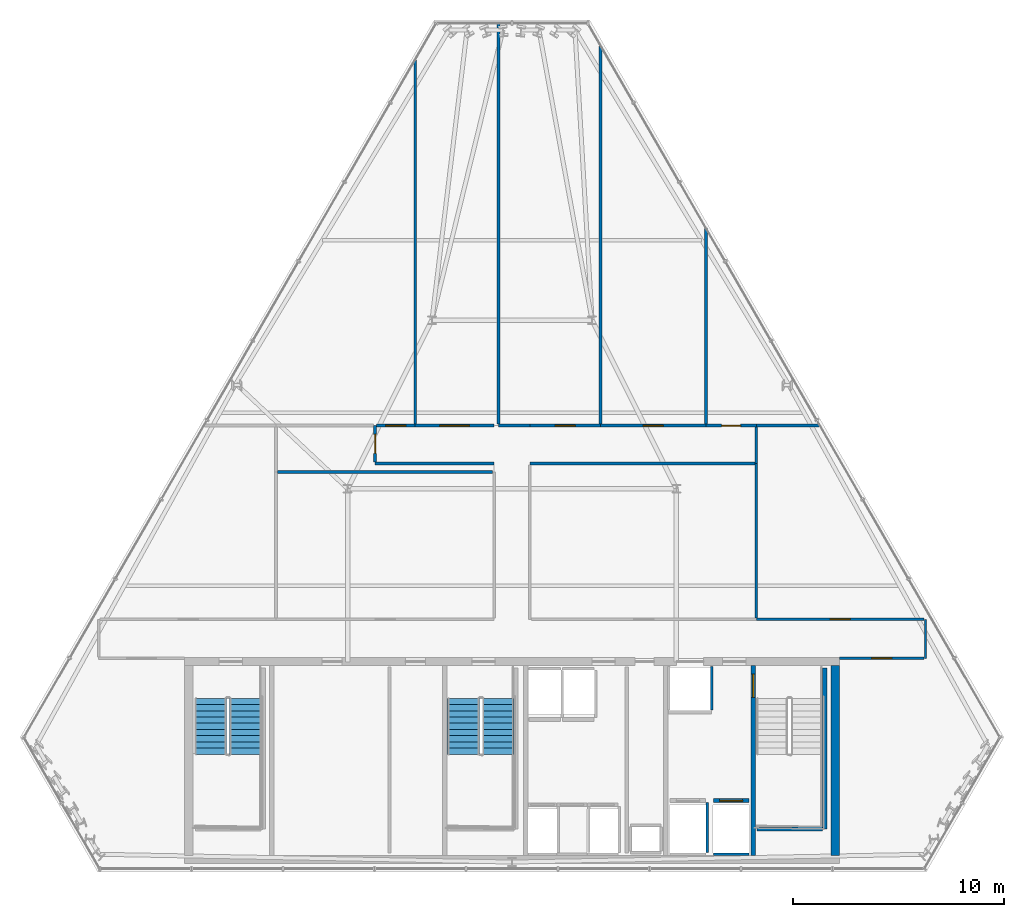
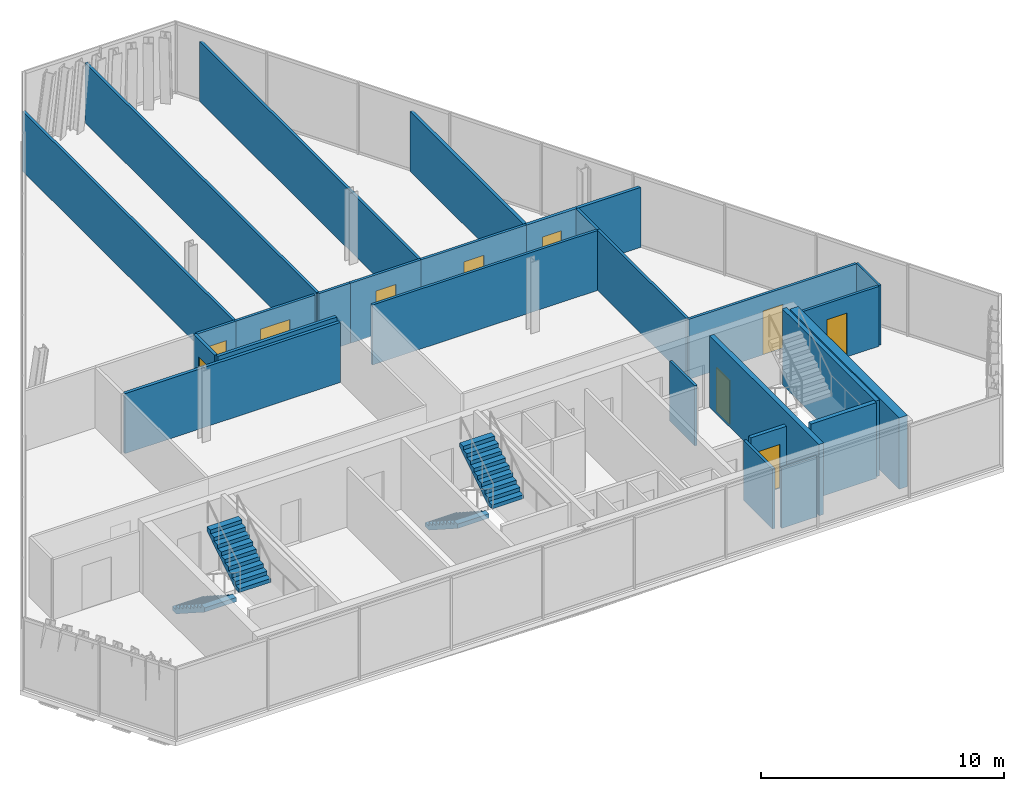
# One storey, part 25 of 29: 28 walls, 10 doors, 4 stair flights, 10 openings, 2 elements without a shape of their own.
"""IFC4 building model written with IfcOpenShell, lengths in metres."""

from ifc_helpers import new_model, si_unit, direction, frame, frame_2d, origin, place, context, subcontext, project, spatial, polyline, rectangle, outline, extrude, material, layer, layer_set, type_object, element, fill, aggregate, save


model = new_model("IFC4")

# Units and contexts
model_context = context("Model", 3, precision=1e-05, world=origin(), true_north=direction((0.0, 1.0)))
body_context = subcontext(model_context, "Body", "Model", "MODEL_VIEW")
ifc_project = project(units=[si_unit("LENGTHUNIT", "METRE"), si_unit("AREAUNIT", "SQUARE_METRE"), si_unit("VOLUMEUNIT", "CUBIC_METRE"), si_unit("PLANEANGLEUNIT", "RADIAN"), si_unit("MASSUNIT", "GRAM", prefix="KILO")], contexts=[model_context])

# Site, building, storey
site_placement = place(None, origin())
site = spatial("IfcSite", under=ifc_project, at=site_placement, CompositionType="ELEMENT")
building_placement = place(site_placement, origin())
building = spatial("IfcBuilding", under=site, at=building_placement, Name="Ndaravel Arena Tower", CompositionType="ELEMENT")
storey_placement = place(building_placement, frame((0.0, 0.0, 237.0)))
storey = spatial("IfcBuildingStorey", under=building, at=storey_placement, Name="L57", CompositionType="ELEMENT", Elevation=237.0)

# Wall, opening, door
ifc_material_1 = material(Name="Concrete C50/60", Category="concrete")
ifc_layer_1 = layer(ifc_material_1, 0.219970703125)
ifc_layer_set_1 = layer_set([ifc_layer_1], Name="Concrete C50/60")
wall_type_1 = type_object("IfcWallType", Name="WALL-CORE-220", PredefinedType="SOLIDWALL", material=ifc_layer_set_1)
wall_1_placement = place(storey_placement, frame((53.449951171875, 5.800048828125, 0.0), z_axis=(0.0, 0.0, 1.0), x_axis=(0.0, 1.0, 0.0)))
wall_1 = element("IfcWall", 1, at=wall_1_placement, inside=storey, type_object=wall_type_1, Name="L57 Core Web Shear Wall 5", PredefinedType="SOLIDWALL", context=body_context, shape_type="SweptSolid", body=[
    extrude(rectangle(XDim=9.0, YDim=0.219970703125, at=frame_2d((4.5, 0.0))), origin(), (0.0, 0.0, 1.0), 3.580078125),
])
opening_1_placement = place(wall_1_placement, frame((7.5, 0.0, 0.0)))
opening_1 = element("IfcOpeningElement", 2, at=opening_1_placement, cuts=wall_1, Name="Opening FD-01", PredefinedType="OPENING", context=body_context, shape_type="SweptSolid", body=[
    extrude(rectangle(XDim=1.10009765625, YDim=2.199951171875, at=frame_2d((0.550048828125, 1.10009765625))), frame((0.0, 0.10986328125, 0.0), z_axis=(0.0, -1.0, 0.0), x_axis=(1.0, 0.0, 0.0)), (0.0, 0.0, 1.0), 0.219970703125),
])
ifc_material_2 = material(Name="Steel S355", Category="steel")
door_type_1 = type_object("IfcDoorType", Name="DT-01-STAIR-1100", OperationType="SINGLE_SWING_LEFT", PredefinedType="DOOR", material=ifc_material_2)
door_1_placement = place(opening_1_placement, origin())
door_1 = element("IfcDoor", 3, at=door_1_placement, inside=storey, type_object=door_type_1, Name="L57 Firefighting Lobby to ST-3 Door", OperationType="SINGLE_SWING_LEFT", OverallHeight=2.199951171875, OverallWidth=1.10009765625, PredefinedType="DOOR", context=body_context, shape_type="SweptSolid", body=[
    extrude(rectangle(XDim=1.10009765625, YDim=2.199951171875, at=frame_2d((0.550048828125, 1.10009765625))), frame((0.0, 0.02490234375, 0.0), z_axis=(0.0, -1.0, 0.0), x_axis=(1.0, 0.0, 0.0)), (0.0, 0.0, 1.0), 0.050048828125),
])
fill(opening_1, door_1)

# Walls
ifc_material_3 = material(Name="Concrete C50/60", Category="concrete")
ifc_layer_2 = layer(ifc_material_3, 0.39990234375)
ifc_layer_set_2 = layer_set([ifc_layer_2], Name="Concrete C50/60")
wall_type_2 = type_object("IfcWallType", Name="WALL-CORE-400", PredefinedType="SOLIDWALL", material=ifc_layer_set_2)
wall_2_placement = place(storey_placement, frame((57.35009765625, 5.800048828125, 0.0), z_axis=(0.0, 0.0, 1.0), x_axis=(0.0, 1.0, 0.0)))
element("IfcWall", 4, at=wall_2_placement, inside=storey, type_object=wall_type_2, Name="L57 Core East Shear Wall", PredefinedType="SOLIDWALL", context=body_context, shape_type="SweptSolid", body=[
    extrude(rectangle(XDim=9.0, YDim=0.39990234375, at=frame_2d((4.5, 0.0))), origin(), (0.0, 0.0, 1.0), 3.580078125),
])
ifc_material_4 = material(Name="Timber", Category="wood")
ifc_layer_3 = layer(ifc_material_4, 0.10009765625)
ifc_layer_set_3 = layer_set([ifc_layer_3], Name="Timber")
wall_type_3 = type_object("IfcWallType", Name="WALL-MOVABLE-100", PredefinedType="MOVABLE", material=ifc_layer_set_3)
wall_3_placement = place(storey_placement, frame((61.6220703125, 17.0, 0.0), z_axis=(0.0, 0.0, 1.0), x_axis=(0.0, -1.0, 0.0)))
element("IfcWall", 5, at=wall_3_placement, inside=storey, type_object=wall_type_3, Name="L57 Interior Partition 001", PredefinedType="MOVABLE", context=body_context, shape_type="SweptSolid", body=[
    extrude(rectangle(XDim=1.85009765625, YDim=0.10009765625, at=frame_2d((0.925048828125, 0.0))), origin(), (0.0, 0.0, 1.0), 3.010498046875),
])

# Wall, opening, door
ifc_material_5 = material(Name="Gypsum", Category="gypsum")
ifc_layer_4 = layer(ifc_material_5, 0.125)
ifc_layer_set_4 = layer_set([ifc_layer_4], Name="Gypsum")
wall_type_4 = type_object("IfcWallType", Name="WALL-PART-125", PredefinedType="PARTITIONING", material=ifc_layer_set_4)
wall_4_placement = place(storey_placement, frame((61.556884765625, 15.14990234375, 0.0), z_axis=(0.0, 0.0, 1.0), x_axis=(-1.0, 0.0, 0.0)))
wall_4 = element("IfcWall", 6, at=wall_4_placement, inside=storey, type_object=wall_type_4, Name="L57 Interior Partition 002", PredefinedType="PARTITIONING", context=body_context, shape_type="SweptSolid", body=[
    extrude(rectangle(XDim=4.0068359375, YDim=0.125, at=frame_2d((2.00341796875, 0.0))), origin(), (0.0, 0.0, 1.0), 3.010498046875),
])
opening_2_placement = place(wall_4_placement, frame((1.528564453125, 0.0, 0.0)))
opening_2 = element("IfcOpeningElement", 7, at=opening_2_placement, cuts=wall_4, Name="Opening ID-01", PredefinedType="OPENING", context=body_context, shape_type="SweptSolid", body=[
    extrude(rectangle(XDim=0.949951171875, YDim=2.199951171875, at=frame_2d((0.47509765625, 1.10009765625))), frame((0.0, 0.0625, 0.0), z_axis=(0.0, -1.0, 0.0), x_axis=(1.0, 0.0, 0.0)), (0.0, 0.0, 1.0), 0.125),
])
ifc_material_6 = material(Name="Timber", Category="wood")
door_type_2 = type_object("IfcDoorType", Name="DT-03-OFFICE-950", OperationType="SINGLE_SWING_LEFT", PredefinedType="DOOR", material=ifc_material_6)
door_2_placement = place(opening_2_placement, origin())
door_2 = element("IfcDoor", 8, at=door_2_placement, inside=storey, type_object=door_type_2, Name="L57 Floor Security Control Room Door", OperationType="SINGLE_SWING_LEFT", OverallHeight=2.199951171875, OverallWidth=0.949951171875, PredefinedType="DOOR", context=body_context, shape_type="SweptSolid", body=[
    extrude(rectangle(XDim=0.949951171875, YDim=2.199951171875, at=frame_2d((0.47509765625, 1.10009765625))), frame((0.0, 0.02490234375, 0.0), z_axis=(0.0, -1.0, 0.0), x_axis=(1.0, 0.0, 0.0)), (0.0, 0.0, 1.0), 0.050048828125),
])
fill(opening_2, door_2)

wall_5_placement = place(storey_placement, frame((35.56494140625, 26.199951171875, 0.0), z_axis=(0.0, 0.0, 1.0), x_axis=(1.0, 0.0, 0.0)))
wall_5 = element("IfcWall", 9, at=wall_5_placement, inside=storey, type_object=wall_type_4, Name="L57 Interior Partition 010", PredefinedType="PARTITIONING", context=body_context, shape_type="SweptSolid", body=[
    extrude(rectangle(XDim=1.8349609375, YDim=0.125, at=frame_2d((0.91748046875, 0.0))), origin(), (0.0, 0.0, 1.0), 3.010498046875),
])
opening_3_placement = place(wall_5_placement, frame((0.4423828125, 0.0, 0.0)))
opening_3 = element("IfcOpeningElement", 10, at=opening_3_placement, cuts=wall_5, Name="Opening ID-01", PredefinedType="OPENING", context=body_context, shape_type="SweptSolid", body=[
    extrude(rectangle(XDim=0.949951171875, YDim=2.199951171875, at=frame_2d((0.47509765625, 1.10009765625))), frame((0.0, 0.0625, 0.0), z_axis=(0.0, -1.0, 0.0), x_axis=(1.0, 0.0, 0.0)), (0.0, 0.0, 1.0), 0.125),
])
door_3_placement = place(opening_3_placement, origin())
door_3 = element("IfcDoor", 11, at=door_3_placement, inside=storey, type_object=door_type_2, Name="L57 Tenant Mail & Post Room 2 Door", OperationType="SINGLE_SWING_RIGHT", OverallHeight=2.199951171875, OverallWidth=0.949951171875, PredefinedType="DOOR", context=body_context, shape_type="SweptSolid", body=[
    extrude(rectangle(XDim=0.949951171875, YDim=2.199951171875, at=frame_2d((0.47509765625, 1.10009765625))), frame((0.0, 0.02490234375, 0.0), z_axis=(0.0, -1.0, 0.0), x_axis=(1.0, 0.0, 0.0)), (0.0, 0.0, 1.0), 0.050048828125),
])
fill(opening_3, door_3)

wall_6_placement = place(storey_placement, frame((37.39990234375, 26.199951171875, 0.0), z_axis=(0.0, 0.0, 1.0), x_axis=(1.0, 0.0, 0.0)))
wall_6 = element("IfcWall", 12, at=wall_6_placement, inside=storey, type_object=wall_type_4, Name="L57 Interior Partition 011", PredefinedType="PARTITIONING", context=body_context, shape_type="SweptSolid", body=[
    extrude(rectangle(XDim=3.75, YDim=0.125, at=frame_2d((1.875, 0.0))), origin(), (0.0, 0.0, 1.0), 3.010498046875),
])
opening_4_placement = place(wall_6_placement, frame((1.175048828125, 0.0, 0.0)))
opening_4 = element("IfcOpeningElement", 13, at=opening_4_placement, cuts=wall_6, Name="Opening ID-02", PredefinedType="OPENING", context=body_context, shape_type="SweptSolid", body=[
    extrude(rectangle(XDim=1.39990234375, YDim=2.199951171875, at=frame_2d((0.699951171875, 1.10009765625))), frame((0.0, 0.0625, 0.0), z_axis=(0.0, -1.0, 0.0), x_axis=(1.0, 0.0, 0.0)), (0.0, 0.0, 1.0), 0.125),
])
ifc_material_7 = material(Name="Timber", Category="wood")
door_type_3 = type_object("IfcDoorType", Name="DT-04-SUITE-1400", OperationType="DOUBLE_DOOR_SINGLE_SWING", PredefinedType="DOOR", material=ifc_material_7)
door_4_placement = place(opening_4_placement, origin())
door_4 = element("IfcDoor", 14, at=door_4_placement, inside=storey, type_object=door_type_3, Name="L57 Executive Dining Lounge 4 Door", OperationType="SINGLE_SWING_RIGHT", OverallHeight=2.199951171875, OverallWidth=1.39990234375, PredefinedType="DOOR", context=body_context, shape_type="SweptSolid", body=[
    extrude(rectangle(XDim=1.39990234375, YDim=2.199951171875, at=frame_2d((0.699951171875, 1.10009765625))), frame((0.0, 0.02490234375, 0.0), z_axis=(0.0, -1.0, 0.0), x_axis=(1.0, 0.0, 0.0)), (0.0, 0.0, 1.0), 0.050048828125),
])
fill(opening_4, door_4)

# Wall
wall_7_placement = place(storey_placement, frame((41.360107421875, 26.199951171875, 0.0), z_axis=(0.0, 0.0, 1.0), x_axis=(1.0, 0.0, 0.0)))
element("IfcWall", 15, at=wall_7_placement, inside=storey, type_object=wall_type_4, Name="L57 Interior Partition 012", PredefinedType="PARTITIONING", context=body_context, shape_type="SweptSolid", body=[
    extrude(rectangle(XDim=1.489990234375, YDim=0.125, at=frame_2d((0.7451171875, 0.0))), origin(), (0.0, 0.0, 1.0), 3.010498046875),
])

# Wall, opening, door
wall_8_placement = place(storey_placement, frame((42.85009765625, 26.199951171875, 0.0), z_axis=(0.0, 0.0, 1.0), x_axis=(1.0, 0.0, 0.0)))
wall_8 = element("IfcWall", 16, at=wall_8_placement, inside=storey, type_object=wall_type_4, Name="L57 Interior Partition 013", PredefinedType="PARTITIONING", context=body_context, shape_type="SweptSolid", body=[
    extrude(rectangle(XDim=3.349853515625, YDim=0.125, at=frame_2d((1.6748046875, 0.0))), origin(), (0.0, 0.0, 1.0), 3.010498046875),
])
opening_5_placement = place(wall_8_placement, frame((1.199951171875, 0.0, 0.0)))
opening_5 = element("IfcOpeningElement", 17, at=opening_5_placement, cuts=wall_8, Name="Opening ID-01", PredefinedType="OPENING", context=body_context, shape_type="SweptSolid", body=[
    extrude(rectangle(XDim=0.949951171875, YDim=2.199951171875, at=frame_2d((0.47509765625, 1.10009765625))), frame((0.0, 0.0625, 0.0), z_axis=(0.0, -1.0, 0.0), x_axis=(1.0, 0.0, 0.0)), (0.0, 0.0, 1.0), 0.125),
])
door_5_placement = place(opening_5_placement, origin())
door_5 = element("IfcDoor", 18, at=door_5_placement, inside=storey, type_object=door_type_2, Name="L57 Crew Support Room 4 Door", OperationType="SINGLE_SWING_LEFT", OverallHeight=2.199951171875, OverallWidth=0.949951171875, PredefinedType="DOOR", context=body_context, shape_type="SweptSolid", body=[
    extrude(rectangle(XDim=0.949951171875, YDim=2.199951171875, at=frame_2d((0.47509765625, 1.10009765625))), frame((0.0, 0.02490234375, 0.0), z_axis=(0.0, -1.0, 0.0), x_axis=(1.0, 0.0, 0.0)), (0.0, 0.0, 1.0), 0.050048828125),
])
fill(opening_5, door_5)

wall_9_placement = place(storey_placement, frame((46.199951171875, 26.199951171875, 0.0), z_axis=(0.0, 0.0, 1.0), x_axis=(1.0, 0.0, 0.0)))
wall_9 = element("IfcWall", 19, at=wall_9_placement, inside=storey, type_object=wall_type_4, Name="L57 Interior Partition 014", PredefinedType="PARTITIONING", context=body_context, shape_type="SweptSolid", body=[
    extrude(rectangle(XDim=5.001953125, YDim=0.125, at=frame_2d((2.5009765625, 0.0))), origin(), (0.0, 0.0, 1.0), 3.010498046875),
])
opening_6_placement = place(wall_9_placement, frame((2.02587890625, 0.0, 0.0)))
opening_6 = element("IfcOpeningElement", 20, at=opening_6_placement, cuts=wall_9, Name="Opening ID-01", PredefinedType="OPENING", context=body_context, shape_type="SweptSolid", body=[
    extrude(rectangle(XDim=0.949951171875, YDim=2.199951171875, at=frame_2d((0.47509765625, 1.10009765625))), frame((0.0, 0.0625, 0.0), z_axis=(0.0, -1.0, 0.0), x_axis=(1.0, 0.0, 0.0)), (0.0, 0.0, 1.0), 0.125),
])
door_6_placement = place(opening_6_placement, origin())
door_6 = element("IfcDoor", 21, at=door_6_placement, inside=storey, type_object=door_type_2, Name="L57 Facilities Operations Room 3 Door", OperationType="SINGLE_SWING_LEFT", OverallHeight=2.199951171875, OverallWidth=0.949951171875, PredefinedType="DOOR", context=body_context, shape_type="SweptSolid", body=[
    extrude(rectangle(XDim=0.949951171875, YDim=2.199951171875, at=frame_2d((0.47509765625, 1.10009765625))), frame((0.0, 0.02490234375, 0.0), z_axis=(0.0, -1.0, 0.0), x_axis=(1.0, 0.0, 0.0)), (0.0, 0.0, 1.0), 0.050048828125),
])
fill(opening_6, door_6)

# Walls
wall_10_placement = place(storey_placement, frame((53.60009765625, 26.135009765625, 0.0), z_axis=(0.0, 0.0, 1.0), x_axis=(0.0, -1.0, 0.0)))
element("IfcWall", 22, at=wall_10_placement, inside=storey, type_object=wall_type_4, Name="L57 Interior Partition 016", PredefinedType="PARTITIONING", context=body_context, shape_type="SweptSolid", body=[
    extrude(rectangle(XDim=1.735107421875, YDim=0.125, at=frame_2d((0.86767578125, 0.0))), origin(), (0.0, 0.0, 1.0), 3.010498046875),
])
wall_11_placement = place(storey_placement, frame((53.534912109375, 24.39990234375, 0.0), z_axis=(0.0, 0.0, 1.0), x_axis=(-1.0, 0.0, 0.0)))
element("IfcWall", 23, at=wall_11_placement, inside=storey, type_object=wall_type_4, Name="L57 Interior Partition 017", PredefinedType="PARTITIONING", context=body_context, shape_type="SweptSolid", body=[
    extrude(rectangle(XDim=10.684814453125, YDim=0.125, at=frame_2d((5.34228515625, 0.0))), origin(), (0.0, 0.0, 1.0), 3.010498046875),
])

# Wall, opening, door
wall_12_placement = place(storey_placement, frame((53.60009765625, 17.0, 0.0), z_axis=(0.0, 0.0, 1.0), x_axis=(1.0, 0.0, 0.0)))
wall_12 = element("IfcWall", 24, at=wall_12_placement, inside=storey, type_object=wall_type_4, Name="L57 Interior Partition 020", PredefinedType="PARTITIONING", context=body_context, shape_type="SweptSolid", body=[
    extrude(rectangle(XDim=7.956787109375, YDim=0.125, at=frame_2d((3.978515625, 0.0))), origin(), (0.0, 0.0, 1.0), 3.010498046875),
])
opening_7_placement = place(wall_12_placement, frame((3.50341796875, 0.0, 0.0)))
opening_7 = element("IfcOpeningElement", 25, at=opening_7_placement, cuts=wall_12, Name="Opening ID-01", PredefinedType="OPENING", context=body_context, shape_type="SweptSolid", body=[
    extrude(rectangle(XDim=0.949951171875, YDim=2.199951171875, at=frame_2d((0.47509765625, 1.10009765625))), frame((0.0, 0.0625, 0.0), z_axis=(0.0, -1.0, 0.0), x_axis=(1.0, 0.0, 0.0)), (0.0, 0.0, 1.0), 0.125),
])
door_7_placement = place(opening_7_placement, origin())
door_7 = element("IfcDoor", 26, at=door_7_placement, inside=storey, type_object=door_type_2, Name="L57 Hospitality Sitting Room 2 Door", OperationType="SINGLE_SWING_RIGHT", OverallHeight=2.199951171875, OverallWidth=0.949951171875, PredefinedType="DOOR", context=body_context, shape_type="SweptSolid", body=[
    extrude(rectangle(XDim=0.949951171875, YDim=2.199951171875, at=frame_2d((0.47509765625, 1.10009765625))), frame((0.0, 0.02490234375, 0.0), z_axis=(0.0, -1.0, 0.0), x_axis=(1.0, 0.0, 0.0)), (0.0, 0.0, 1.0), 0.050048828125),
])
fill(opening_7, door_7)

# Walls
wall_13_placement = place(storey_placement, frame((53.60009765625, 24.39990234375, 0.0), z_axis=(0.0, 0.0, 1.0), x_axis=(0.0, -1.0, 0.0)))
element("IfcWall", 27, at=wall_13_placement, inside=storey, type_object=wall_type_4, Name="L57 Interior Partition 023", PredefinedType="PARTITIONING", context=body_context, shape_type="SweptSolid", body=[
    extrude(rectangle(XDim=7.3349609375, YDim=0.125, at=frame_2d((3.66748046875, 0.0))), origin(), (0.0, 0.0, 1.0), 3.010498046875),
])
wall_14_placement = place(storey_placement, frame((37.39990234375, 43.556396484375, 0.0), z_axis=(0.0, 0.0, 1.0), x_axis=(0.0, -1.0, 0.0)))
element("IfcWall", 28, at=wall_14_placement, inside=storey, type_object=wall_type_4, Name="L57 Interior Partition 029", PredefinedType="PARTITIONING", context=body_context, shape_type="SweptSolid", body=[
    extrude(rectangle(XDim=17.29150390625, YDim=0.125, at=frame_2d((8.645751953125, 0.0))), origin(), (0.0, 0.0, 1.0), 3.010498046875),
])
wall_15_placement = place(storey_placement, frame((46.199951171875, 26.264892578125, 0.0), z_axis=(0.0, 0.0, 1.0), x_axis=(0.0, 1.0, 0.0)))
element("IfcWall", 29, at=wall_15_placement, inside=storey, type_object=wall_type_4, Name="L57 Interior Partition 030", PredefinedType="PARTITIONING", context=body_context, shape_type="SweptSolid", body=[
    extrude(rectangle(XDim=17.984375, YDim=0.125, at=frame_2d((8.9921875, 0.0))), origin(), (0.0, 0.0, 1.0), 3.010498046875),
])
wall_16_placement = place(storey_placement, frame((41.360107421875, 45.288818359375, 0.0), z_axis=(0.0, 0.0, 1.0), x_axis=(0.0, -1.0, 0.0)))
element("IfcWall", 30, at=wall_16_placement, inside=storey, type_object=wall_type_4, Name="L57 Interior Partition 031", PredefinedType="PARTITIONING", context=body_context, shape_type="SweptSolid", body=[
    extrude(rectangle(XDim=19.02392578125, YDim=0.125, at=frame_2d((9.511962890625, 0.0))), origin(), (0.0, 0.0, 1.0), 3.010498046875),
])
ifc_material_8 = material(Name="Concrete C40/50", Category="concrete")
ifc_layer_5 = layer(ifc_material_8, 0.1201171875)
ifc_layer_set_5 = layer_set([ifc_layer_5], Name="Concrete C40/50")
wall_type_5 = type_object("IfcWallType", Name="WALL-SHAFT-120", PredefinedType="SOLIDWALL", material=ifc_layer_set_5)
wall_17_placement = place(storey_placement, frame((51.27490234375, 5.929931640625, 0.0), z_axis=(0.0, 0.0, 1.0), x_axis=(0.0, 1.0, 0.0)))
element("IfcWall", 31, at=wall_17_placement, inside=storey, type_object=wall_type_5, Name="L57 FFL-1 Shaft Side R Wall", PredefinedType="SOLIDWALL", context=body_context, shape_type="SweptSolid", body=[
    extrude(rectangle(XDim=2.380126953125, YDim=0.1201171875, at=frame_2d((1.18994140625, 0.0))), origin(), (0.0, 0.0, 1.0), 3.010498046875),
])
wall_18_placement = place(storey_placement, frame((51.554931640625, 5.840087890625, 0.0), z_axis=(0.0, 0.0, 1.0), x_axis=(1.0, 0.0, 0.0)))
element("IfcWall", 32, at=wall_18_placement, inside=storey, type_object=wall_type_5, Name="L57 FFL-2 Shaft Rear Wall", PredefinedType="SOLIDWALL", context=body_context, shape_type="SweptSolid", body=[
    extrude(rectangle(XDim=1.690185546875, YDim=0.1201171875, at=frame_2d((0.84521484375, 0.0))), origin(), (0.0, 0.0, 1.0), 3.010498046875),
])
wall_19_placement = place(storey_placement, frame((51.47998046875, 12.68994140625, 0.0), z_axis=(0.0, 0.0, 1.0), x_axis=(0.0, 1.0, 0.0)))
element("IfcWall", 33, at=wall_19_placement, inside=storey, type_object=wall_type_5, Name="L57 SVL-1 Shaft E Wall", PredefinedType="SOLIDWALL", context=body_context, shape_type="SweptSolid", body=[
    extrude(rectangle(XDim=2.070068359375, YDim=0.1201171875, at=frame_2d((1.03515625, 0.0))), origin(), (0.0, 0.0, 1.0), 3.010498046875),
])
ifc_material_9 = material(Name="Concrete C40/50", Category="concrete")
ifc_layer_6 = layer(ifc_material_9, 0.199951171875)
ifc_layer_set_6 = layer_set([ifc_layer_6], Name="Concrete C40/50")
wall_type_6 = type_object("IfcWallType", Name="WALL-SHAFT-200", PredefinedType="SOLIDWALL", material=ifc_layer_set_6)
wall_20_placement = place(storey_placement, frame((56.840087890625, 14.699951171875, 0.0), z_axis=(0.0, 0.0, 1.0), x_axis=(0.0, -1.0, 0.0)))
element("IfcWall", 34, at=wall_20_placement, inside=storey, type_object=wall_type_6, Name="L57 ST-3 Structural Shaft Wall Right", PredefinedType="SOLIDWALL", context=body_context, shape_type="SweptSolid", body=[
    extrude(rectangle(XDim=7.64990234375, YDim=0.199951171875, at=frame_2d((3.824951171875, 0.0))), origin(), (0.0, 0.0, 1.0), 3.800048828125),
])
wall_21_placement = place(storey_placement, frame((53.6201171875, 7.050048828125, 0.0), z_axis=(0.0, 0.0, 1.0), x_axis=(1.0, 0.0, 0.0)))
element("IfcWall", 35, at=wall_21_placement, inside=storey, type_object=wall_type_6, Name="L57 ST-3 Structural Shaft Wall Far", PredefinedType="SOLIDWALL", context=body_context, shape_type="SweptSolid", body=[
    extrude(rectangle(XDim=3.114990234375, YDim=0.199951171875, at=frame_2d((1.5576171875, 0.0))), origin(), (0.0, 0.0, 1.0), 3.800048828125),
])

# Wall, opening, door
wall_22_placement = place(storey_placement, frame((51.554931640625, 8.39990234375, 0.0), z_axis=(0.0, 0.0, 1.0), x_axis=(1.0, 0.0, 0.0)))
wall_22 = element("IfcWall", 36, at=wall_22_placement, inside=storey, type_object=wall_type_6, Name="L57 FFL-2 Shaft Landing Wall", PredefinedType="SOLIDWALL", context=body_context, shape_type="SweptSolid", body=[
    extrude(rectangle(XDim=1.690185546875, YDim=0.179931640625, at=frame_2d((0.84521484375, 0.0))), origin(), (0.0, 0.0, 1.0), 3.010498046875),
])
opening_8_placement = place(wall_22_placement, frame((0.294921875, 0.0, 0.0)))
opening_8 = element("IfcOpeningElement", 37, at=opening_8_placement, cuts=wall_22, Name="Opening LD-01", PredefinedType="OPENING", context=body_context, shape_type="SweptSolid", body=[
    extrude(rectangle(XDim=1.10009765625, YDim=2.199951171875, at=frame_2d((0.550048828125, 1.10009765625))), frame((0.0, 0.08984375, 0.0), z_axis=(0.0, -1.0, 0.0), x_axis=(1.0, 0.0, 0.0)), (0.0, 0.0, 1.0), 0.179931640625),
])
ifc_material_10 = material(Name="Steel S355", Category="steel")
door_type_4 = type_object("IfcDoorType", Name="DT-06-LIFT-1100", OperationType="SLIDING_TO_LEFT", PredefinedType="DOOR", material=ifc_material_10)
door_8_placement = place(opening_8_placement, origin())
door_8 = element("IfcDoor", 38, at=door_8_placement, inside=storey, type_object=door_type_4, Name="L57 Lift FFL-2 Sliding Landing Door", OperationType="SLIDING_TO_LEFT", OverallHeight=2.199951171875, OverallWidth=1.10009765625, PredefinedType="DOOR", context=body_context, shape_type="SweptSolid", body=[
    extrude(rectangle(XDim=1.10009765625, YDim=2.199951171875, at=frame_2d((0.550048828125, 1.10009765625))), frame((0.0, 0.02490234375, 0.0), z_axis=(0.0, -1.0, 0.0), x_axis=(1.0, 0.0, 0.0)), (0.0, 0.0, 1.0), 0.050048828125),
])
fill(opening_8, door_8)

# Wall
ifc_material_11 = material(Name="Masonry", Category="masonry")
ifc_layer_7 = layer(ifc_material_11, 0.14990234375)
ifc_layer_set_7 = layer_set([ifc_layer_7], Name="Masonry")
wall_type_7 = type_object("IfcWallType", Name="WALL-WET-150", PredefinedType="PARTITIONING", material=ifc_layer_set_7)
wall_23_placement = place(storey_placement, frame((41.14990234375, 24.39990234375, 0.0), z_axis=(0.0, 0.0, 1.0), x_axis=(-1.0, 0.0, 0.0)))
element("IfcWall", 39, at=wall_23_placement, inside=storey, type_object=wall_type_7, Name="L57 Interior Partition 008", PredefinedType="PARTITIONING", context=body_context, shape_type="SweptSolid", body=[
    extrude(rectangle(XDim=5.64990234375, YDim=0.14990234375, at=frame_2d((2.824951171875, 0.0))), origin(), (0.0, 0.0, 1.0), 3.010498046875),
])

# Wall, opening, door
wall_24_placement = place(storey_placement, frame((35.5, 24.465087890625, 0.0), z_axis=(0.0, 0.0, 1.0), x_axis=(0.0, 1.0, 0.0)))
wall_24 = element("IfcWall", 40, at=wall_24_placement, inside=storey, type_object=wall_type_7, Name="L57 Interior Partition 009", PredefinedType="PARTITIONING", context=body_context, shape_type="SweptSolid", body=[
    extrude(rectangle(XDim=1.73486328125, YDim=0.14990234375, at=frame_2d((0.867431640625, 0.0))), origin(), (0.0, 0.0, 1.0), 3.010498046875),
])
opening_9_placement = place(wall_24_placement, frame((0.41748046875, 0.0, 0.0)))
opening_9 = element("IfcOpeningElement", 41, at=opening_9_placement, cuts=wall_24, Name="Opening WD-01", PredefinedType="OPENING", context=body_context, shape_type="SweptSolid", body=[
    extrude(rectangle(XDim=0.89990234375, YDim=2.14990234375, at=frame_2d((0.449951171875, 1.074951171875))), frame((0.0, 0.074951171875, 0.0), z_axis=(0.0, -1.0, 0.0), x_axis=(1.0, 0.0, 0.0)), (0.0, 0.0, 1.0), 0.14990234375),
])
ifc_material_12 = material(Name="Timber", Category="wood")
door_type_5 = type_object("IfcDoorType", Name="DT-05-WC-900", OperationType="SINGLE_SWING_LEFT", PredefinedType="DOOR", material=ifc_material_12)
door_9_placement = place(opening_9_placement, origin())
door_9 = element("IfcDoor", 42, at=door_9_placement, inside=storey, type_object=door_type_5, Name="L57 Male Staff & Visitor Restroom Door", OperationType="SINGLE_SWING_RIGHT", OverallHeight=2.14990234375, OverallWidth=0.89990234375, PredefinedType="DOOR", context=body_context, shape_type="SweptSolid", body=[
    extrude(rectangle(XDim=0.89990234375, YDim=2.14990234375, at=frame_2d((0.449951171875, 1.074951171875))), frame((0.0, 0.02490234375, 0.0), z_axis=(0.0, -1.0, 0.0), x_axis=(1.0, 0.0, 0.0)), (0.0, 0.0, 1.0), 0.050048828125),
])
fill(opening_9, door_9)

wall_25_placement = place(storey_placement, frame((51.201904296875, 26.199951171875, 0.0), z_axis=(0.0, 0.0, 1.0), x_axis=(1.0, 0.0, 0.0)))
wall_25 = element("IfcWall", 43, at=wall_25_placement, inside=storey, type_object=wall_type_7, Name="L57 Interior Partition 015", PredefinedType="PARTITIONING", context=body_context, shape_type="SweptSolid", body=[
    extrude(rectangle(XDim=2.398193359375, YDim=0.14990234375, at=frame_2d((1.19921875, 0.0))), origin(), (0.0, 0.0, 1.0), 3.010498046875),
])
opening_10_placement = place(wall_25_placement, frame((0.7490234375, 0.0, 0.0)))
opening_10 = element("IfcOpeningElement", 44, at=opening_10_placement, cuts=wall_25, Name="Opening WD-01", PredefinedType="OPENING", context=body_context, shape_type="SweptSolid", body=[
    extrude(rectangle(XDim=0.89990234375, YDim=2.14990234375, at=frame_2d((0.449951171875, 1.074951171875))), frame((0.0, 0.074951171875, 0.0), z_axis=(0.0, -1.0, 0.0), x_axis=(1.0, 0.0, 0.0)), (0.0, 0.0, 1.0), 0.14990234375),
])
door_10_placement = place(opening_10_placement, origin())
door_10 = element("IfcDoor", 45, at=door_10_placement, inside=storey, type_object=door_type_5, Name="L57 Female & Accessible Restroom Door", OperationType="SINGLE_SWING_LEFT", OverallHeight=2.14990234375, OverallWidth=0.89990234375, PredefinedType="DOOR", context=body_context, shape_type="SweptSolid", body=[
    extrude(rectangle(XDim=0.89990234375, YDim=2.14990234375, at=frame_2d((0.449951171875, 1.074951171875))), frame((0.0, 0.02490234375, 0.0), z_axis=(0.0, -1.0, 0.0), x_axis=(1.0, 0.0, 0.0)), (0.0, 0.0, 1.0), 0.050048828125),
])
fill(opening_10, door_10)

# Walls
wall_26_placement = place(storey_placement, frame((30.864990234375, 23.991943359375, 0.0), z_axis=(0.0, 0.0, 1.0), x_axis=(1.0, 0.0, 0.0)))
element("IfcWall", 46, at=wall_26_placement, inside=storey, type_object=wall_type_7, Name="L57 Interior Partition 022", PredefinedType="PARTITIONING", context=body_context, shape_type="SweptSolid", body=[
    extrude(rectangle(XDim=10.219970703125, YDim=0.14990234375, at=frame_2d((5.10986328125, 0.0))), origin(), (0.0, 0.0, 1.0), 3.010498046875),
])
wall_27_placement = place(storey_placement, frame((53.60009765625, 26.199951171875, 0.0), z_axis=(0.0, 0.0, 1.0), x_axis=(1.0, 0.0, 0.0)))
element("IfcWall", 47, at=wall_27_placement, inside=storey, type_object=wall_type_7, Name="L57 Interior Partition 024", PredefinedType="PARTITIONING", context=body_context, shape_type="SweptSolid", body=[
    extrude(rectangle(XDim=3.0205078125, YDim=0.14990234375, at=frame_2d((1.51025390625, 0.0))), origin(), (0.0, 0.0, 1.0), 3.010498046875),
])
wall_28_placement = place(storey_placement, frame((51.201904296875, 26.264892578125, 0.0), z_axis=(0.0, 0.0, 1.0), x_axis=(0.0, 1.0, 0.0)))
element("IfcWall", 48, at=wall_28_placement, inside=storey, type_object=wall_type_7, Name="L57 Interior Partition 028", PredefinedType="PARTITIONING", context=body_context, shape_type="SweptSolid", body=[
    extrude(rectangle(XDim=9.32080078125, YDim=0.14990234375, at=frame_2d((4.660400390625, 0.0))), origin(), (0.0, 0.0, 1.0), 3.010498046875),
])

# Stair, stair flights
ifc_material_13 = material(Name="Concrete C40/50", Category="concrete")
stair_type = type_object("IfcStairType", Name="STAIR-CORE-HT", PredefinedType="HALF_TURN_STAIR", material=ifc_material_13)
stair_1_placement = place(storey_placement, origin())
stair_1 = element("IfcStair", 49, at=stair_1_placement, inside=storey, type_object=stair_type, Name="L57 ST-1", PredefinedType="HALF_TURN_STAIR")
ifc_material_14 = material(Name="Concrete C40/50", Category="concrete")
stair_flight_type = type_object("IfcStairFlightType", Name="SFLIGHT-CORE-1680", PredefinedType="STRAIGHT", material=ifc_material_14)
stair_flight_1_placement = place(storey_placement, frame((27.699951171875, 13.25, 0.0), z_axis=(0.0, 0.0, 1.0), x_axis=(0.0, -1.0, 0.0)))
stair_flight_1 = element("IfcStairFlight", 50, at=stair_flight_1_placement, type_object=stair_flight_type, Name="ST-1 flight 1", NumberOfRisers=10, NumberOfTreads=9, PredefinedType="STRAIGHT", RiserHeight=0.19, TreadLength=0.295, context=body_context, shape_type="SweptSolid", body=[
    extrude(outline(polyline([(0.0, 0.0), (0.0, 0.18994140625), (0.294921875, 0.18994140625), (0.294921875, 0.3798828125), (0.590087890625, 0.3798828125), (0.590087890625, 0.570068359375), (0.885009765625, 0.570068359375), (0.885009765625, 0.760009765625), (1.179931640625, 0.760009765625), (1.179931640625, 0.949951171875), (1.47509765625, 0.949951171875), (1.47509765625, 1.139892578125), (1.77001953125, 1.139892578125), (1.77001953125, 1.330078125), (2.06494140625, 1.330078125), (2.06494140625, 1.52001953125), (2.360107421875, 1.52001953125), (2.360107421875, 1.7099609375), (2.655029296875, 1.7099609375), (2.655029296875, 1.89990234375), (2.655029296875, 1.49609375), (0.332275390625, 0.0), (0.0, 0.0)])), frame((0.0, 0.75, 0.0), z_axis=(0.0, -1.0, 0.0), x_axis=(1.0, 0.0, 0.0)), (0.0, 0.0, 1.0), 1.5),
])
stair_flight_2_placement = place(storey_placement, frame((29.340087890625, 10.594970703125, 1.89990234375), z_axis=(0.0, 0.0, 1.0), x_axis=(0.0, 1.0, 0.0)))
stair_flight_2 = element("IfcStairFlight", 51, at=stair_flight_2_placement, type_object=stair_flight_type, Name="ST-1 flight 2", NumberOfRisers=10, NumberOfTreads=9, PredefinedType="STRAIGHT", RiserHeight=0.19, TreadLength=0.295, context=body_context, shape_type="SweptSolid", body=[
    extrude(outline(polyline([(0.0, 0.0), (0.0, 0.18994140625), (0.294921875, 0.18994140625), (0.294921875, 0.3798828125), (0.590087890625, 0.3798828125), (0.590087890625, 0.570068359375), (0.885009765625, 0.570068359375), (0.885009765625, 0.760009765625), (1.179931640625, 0.760009765625), (1.179931640625, 0.949951171875), (1.47509765625, 0.949951171875), (1.47509765625, 1.139892578125), (1.77001953125, 1.139892578125), (1.77001953125, 1.330078125), (2.06494140625, 1.330078125), (2.06494140625, 1.52001953125), (2.360107421875, 1.52001953125), (2.360107421875, 1.7099609375), (2.655029296875, 1.7099609375), (2.655029296875, 1.89990234375), (2.655029296875, 1.49609375), (0.332275390625, 0.0), (0.0, 0.0)])), frame((0.0, 0.75, 0.0), z_axis=(0.0, -1.0, 0.0), x_axis=(1.0, 0.0, 0.0)), (0.0, 0.0, 1.0), 1.5),
])
aggregate(stair_1, [stair_flight_1, stair_flight_2])

stair_2_placement = place(storey_placement, origin())
stair_2 = element("IfcStair", 52, at=stair_2_placement, inside=storey, type_object=stair_type, Name="L57 ST-2", PredefinedType="HALF_TURN_STAIR")
stair_flight_3_placement = place(storey_placement, frame((39.699951171875, 13.25, 0.0), z_axis=(0.0, 0.0, 1.0), x_axis=(0.0, -1.0, 0.0)))
stair_flight_3 = element("IfcStairFlight", 53, at=stair_flight_3_placement, type_object=stair_flight_type, Name="ST-2 flight 1", NumberOfRisers=10, NumberOfTreads=9, PredefinedType="STRAIGHT", RiserHeight=0.19, TreadLength=0.295, context=body_context, shape_type="SweptSolid", body=[
    extrude(outline(polyline([(0.0, 0.0), (0.0, 0.18994140625), (0.294921875, 0.18994140625), (0.294921875, 0.3798828125), (0.590087890625, 0.3798828125), (0.590087890625, 0.570068359375), (0.885009765625, 0.570068359375), (0.885009765625, 0.760009765625), (1.179931640625, 0.760009765625), (1.179931640625, 0.949951171875), (1.47509765625, 0.949951171875), (1.47509765625, 1.139892578125), (1.77001953125, 1.139892578125), (1.77001953125, 1.330078125), (2.06494140625, 1.330078125), (2.06494140625, 1.52001953125), (2.360107421875, 1.52001953125), (2.360107421875, 1.7099609375), (2.655029296875, 1.7099609375), (2.655029296875, 1.89990234375), (2.655029296875, 1.49609375), (0.332275390625, 0.0), (0.0, 0.0)])), frame((0.0, 0.75, 0.0), z_axis=(0.0, -1.0, 0.0), x_axis=(1.0, 0.0, 0.0)), (0.0, 0.0, 1.0), 1.5),
])
stair_flight_4_placement = place(storey_placement, frame((41.340087890625, 10.594970703125, 1.89990234375), z_axis=(0.0, 0.0, 1.0), x_axis=(0.0, 1.0, 0.0)))
stair_flight_4 = element("IfcStairFlight", 54, at=stair_flight_4_placement, type_object=stair_flight_type, Name="ST-2 flight 2", NumberOfRisers=10, NumberOfTreads=9, PredefinedType="STRAIGHT", RiserHeight=0.19, TreadLength=0.295, context=body_context, shape_type="SweptSolid", body=[
    extrude(outline(polyline([(0.0, 0.0), (0.0, 0.18994140625), (0.294921875, 0.18994140625), (0.294921875, 0.3798828125), (0.590087890625, 0.3798828125), (0.590087890625, 0.570068359375), (0.885009765625, 0.570068359375), (0.885009765625, 0.760009765625), (1.179931640625, 0.760009765625), (1.179931640625, 0.949951171875), (1.47509765625, 0.949951171875), (1.47509765625, 1.139892578125), (1.77001953125, 1.139892578125), (1.77001953125, 1.330078125), (2.06494140625, 1.330078125), (2.06494140625, 1.52001953125), (2.360107421875, 1.52001953125), (2.360107421875, 1.7099609375), (2.655029296875, 1.7099609375), (2.655029296875, 1.89990234375), (2.655029296875, 1.49609375), (0.332275390625, 0.0), (0.0, 0.0)])), frame((0.0, 0.75, 0.0), z_axis=(0.0, -1.0, 0.0), x_axis=(1.0, 0.0, 0.0)), (0.0, 0.0, 1.0), 1.5),
])
aggregate(stair_2, [stair_flight_3, stair_flight_4])

save(model, "model.ifc")
